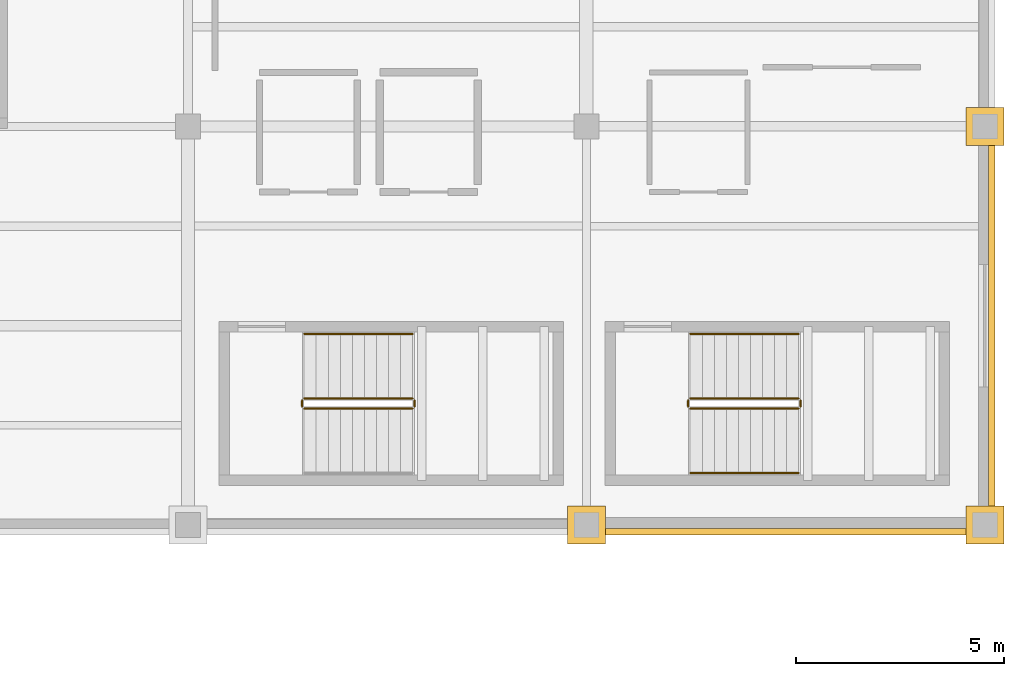
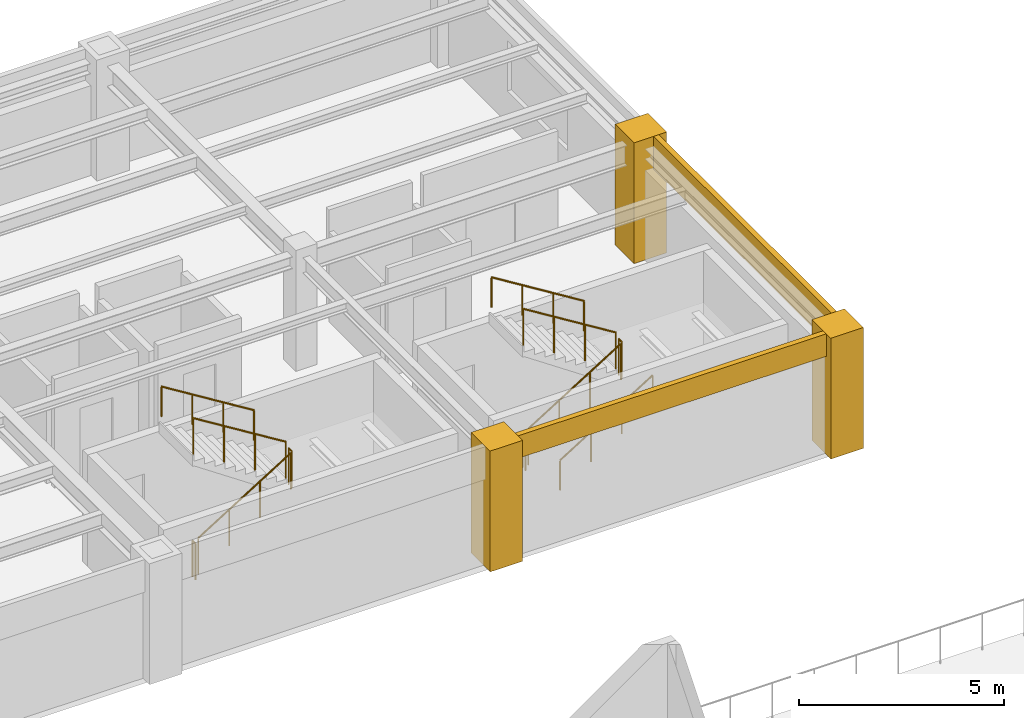
# One storey, part 5 of 6: 11 railings, 5 coverings.
"""IFC4 building model written with IfcOpenShell, lengths in metres."""

from ifc_helpers import new_model, si_unit, direction, frame, origin, origin_2d, place, context, subcontext, project, spatial, polyline, circle, outline, extrude, material, layer, layer_set, type_object, element, save


model = new_model("IFC4")

# Units and contexts
model_context = context("Model", 3, precision=1e-05, world=origin(), true_north=direction((0.0, 1.0)))
body_context = subcontext(model_context, "Body", "Model", "MODEL_VIEW")
ifc_project = project(units=[si_unit("LENGTHUNIT", "METRE"), si_unit("AREAUNIT", "SQUARE_METRE"), si_unit("VOLUMEUNIT", "CUBIC_METRE"), si_unit("PLANEANGLEUNIT", "RADIAN"), si_unit("MASSUNIT", "GRAM", prefix="KILO")], contexts=[model_context])

# Site, building, storey
site_placement = place(None, origin())
site = spatial("IfcSite", under=ifc_project, at=site_placement, CompositionType="ELEMENT")
building_placement = place(site_placement, origin())
building = spatial("IfcBuilding", under=site, at=building_placement, Name="Mavantir Sound Aquarium", CompositionType="ELEMENT")
storey_placement = place(building_placement, frame((0.0, 0.0, 19.800048828125)))
storey = spatial("IfcBuildingStorey", under=building, at=storey_placement, Name="L04", CompositionType="ELEMENT", Elevation=19.800048828125)

# Coverings
ifc_material_1 = material(Name="Honed Coral-Limestone & Glazed Terracotta Rainscreen Cladding", Category="masonry")
ifc_layer = layer(ifc_material_1, 0.06005859375, Name="Honed Coral-Limestone & Glazed Terracotta Rainscreen Cladding")
ifc_layer_set = layer_set([ifc_layer], Name="Honed Coral-Limestone & Glazed Terracotta Rainscreen Cladding")
covering_type = type_object("IfcCoveringType", Name="COV-CLAD-TC", PredefinedType="CLADDING", material=ifc_layer_set)
covering_1_placement = place(storey_placement, frame((0.0, 0.0, 2.6240234375)))
element("IfcCovering", 1, at=covering_1_placement, inside=storey, type_object=covering_type, Name="L04 Postmodern coral-limestone spandrel frieze 484", PredefinedType="CLADDING", context=body_context, shape_type="SweptSolid", body=[
    extrude(outline(polyline([(28.889892578125, 83.907958984375), (28.889892578125, 92.89208984375), (29.0400390625, 92.89208984375), (29.0400390625, 83.907958984375), (28.889892578125, 83.907958984375)])), origin(), (0.0, 0.0, 1.0), 0.975830078125),
])
covering_2_placement = place(storey_placement, frame((0.0, 0.0, 2.927978515625)))
element("IfcCovering", 2, at=covering_2_placement, inside=storey, type_object=covering_type, Name="L04 Postmodern coral-limestone spandrel frieze 493", PredefinedType="CLADDING", context=body_context, shape_type="SweptSolid", body=[
    extrude(outline(polyline([(19.508056640625, 83.510009765625), (28.491943359375, 83.510009765625), (28.491943359375, 83.360107421875), (19.508056640625, 83.360107421875), (19.508056640625, 83.510009765625)])), origin(), (0.0, 0.0, 1.0), 0.671875),
])
covering_3_placement = place(storey_placement, origin())
element("IfcCovering", 3, at=covering_3_placement, inside=storey, type_object=covering_type, Name="L04 Postmodern coral-limestone pilaster casing 382", PredefinedType="CLADDING", context=body_context, shape_type="SweptSolid", body=[
    extrude(outline(polyline([(18.739990234375, 83.139892578125), (19.659912109375, 83.139892578125), (19.659912109375, 84.06005859375), (18.739990234375, 84.06005859375), (18.739990234375, 83.139892578125)])), origin(), (0.0, 0.0, 1.0), 3.599853515625),
])
covering_4_placement = place(storey_placement, origin())
element("IfcCovering", 4, at=covering_4_placement, inside=storey, type_object=covering_type, Name="L04 Postmodern coral-limestone pilaster casing 394", PredefinedType="CLADDING", context=body_context, shape_type="SweptSolid", body=[
    extrude(outline(polyline([(28.340087890625, 83.139892578125), (29.260009765625, 83.139892578125), (29.260009765625, 84.06005859375), (28.340087890625, 84.06005859375), (28.340087890625, 83.139892578125)])), origin(), (0.0, 0.0, 1.0), 3.599853515625),
])
covering_5_placement = place(storey_placement, origin())
element("IfcCovering", 5, at=covering_5_placement, inside=storey, type_object=covering_type, Name="L04 Postmodern coral-limestone pilaster casing 398", PredefinedType="CLADDING", context=body_context, shape_type="SweptSolid", body=[
    extrude(outline(polyline([(28.340087890625, 92.739990234375), (29.260009765625, 92.739990234375), (29.260009765625, 93.659912109375), (28.340087890625, 93.659912109375), (28.340087890625, 92.739990234375)])), origin(), (0.0, 0.0, 1.0), 3.599853515625),
])

# Railings
ifc_material_2 = material(Name="Stainless Steel 316 and Laminated Glass Guardrail", Category="steel")
railing_type_1 = type_object("IfcRailingType", Name="RL-GUARD-110", PredefinedType="GUARDRAIL", material=ifc_material_2)
railing_1_placement = place(storey_placement, frame((12.39990234375, 86.39990234375, 0.179931640625)))
element("IfcRailing", 6, at=railing_1_placement, inside=storey, type_object=railing_type_1, Name="L04 ST5 stair guard 1", PredefinedType="GUARDRAIL", context=body_context, shape_type="SweptSolid", body=[
    extrude(circle(Radius=0.02392578125, at=origin_2d()), frame((0.0, 0.0, 1.076171875), z_axis=(0.849632798774, 0.0, 0.527374731332), x_axis=(0.0, 1.0, 0.0)), (0.0, 0.0, 1.0), 3.072021484375),
    extrude(circle(Radius=0.02099609375, at=origin_2d()), origin(), (0.0, 0.0, 1.0), 1.052001953125),
    extrude(circle(Radius=0.02099609375, at=origin_2d()), frame((0.8701171875, 0.0, 0.5400390625)), (0.0, 0.0, 1.0), 1.052001953125),
    extrude(circle(Radius=0.02099609375, at=origin_2d()), frame((1.739990234375, 0.0, 1.080078125)), (0.0, 0.0, 1.0), 1.052001953125),
    extrude(circle(Radius=0.02099609375, at=origin_2d()), frame((2.610107421875, 0.0, 1.6201171875)), (0.0, 0.0, 1.0), 1.052001953125),
])
railing_2_placement = place(storey_placement, frame((15.06005859375, 86.449951171875, 1.800048828125)))
element("IfcRailing", 7, at=railing_2_placement, inside=storey, type_object=railing_type_1, Name="L04 ST5 stair guard 2", PredefinedType="GUARDRAIL", context=body_context, shape_type="SweptSolid", body=[
    extrude(circle(Radius=0.02392578125, at=origin_2d()), frame((0.0, 0.0, 1.076171875), z_axis=(0.0, 1.0, 0.0), x_axis=(-1.0, 0.0, 0.0)), (0.0, 0.0, 1.0), 0.150146484375),
    extrude(circle(Radius=0.02099609375, at=origin_2d()), origin(), (0.0, 0.0, 1.0), 1.052001953125),
    extrude(circle(Radius=0.02099609375, at=origin_2d()), frame((0.0, 0.150146484375, 0.0)), (0.0, 0.0, 1.0), 1.052001953125),
])
railing_3_placement = place(storey_placement, frame((15.010009765625, 86.64990234375, 1.97998046875)))
element("IfcRailing", 8, at=railing_3_placement, inside=storey, type_object=railing_type_1, Name="L04 ST5 stair guard 3", PredefinedType="GUARDRAIL", context=body_context, shape_type="SweptSolid", body=[
    extrude(circle(Radius=0.02392578125, at=origin_2d()), frame((0.0, 0.0, 1.076171875), z_axis=(-0.849668407637, 0.0, 0.527317358963), x_axis=(0.0, -1.0, 0.0)), (0.0, 0.0, 1.0), 3.072021484375),
    extrude(circle(Radius=0.02099609375, at=origin_2d()), origin(), (0.0, 0.0, 1.0), 1.052001953125),
    extrude(circle(Radius=0.02099609375, at=origin_2d()), frame((-0.8701171875, 0.0, 0.5400390625)), (0.0, 0.0, 1.0), 1.052001953125),
    extrude(circle(Radius=0.02099609375, at=origin_2d()), frame((-1.739990234375, 0.0, 1.079833984375)), (0.0, 0.0, 1.0), 1.052001953125),
    extrude(circle(Radius=0.02099609375, at=origin_2d()), frame((-2.610107421875, 0.0, 1.619873046875)), (0.0, 0.0, 1.0), 1.052001953125),
])
railing_4_placement = place(storey_placement, frame((12.35009765625, 86.449951171875, 0.0)))
element("IfcRailing", 9, at=railing_4_placement, inside=storey, type_object=railing_type_1, Name="L04 ST5 stair guard 4", PredefinedType="GUARDRAIL", context=body_context, shape_type="SweptSolid", body=[
    extrude(circle(Radius=0.02392578125, at=origin_2d()), frame((0.0, 0.0, 1.076171875), z_axis=(0.0, 1.0, 0.0), x_axis=(-1.0, 0.0, 0.0)), (0.0, 0.0, 1.0), 0.150146484375),
    extrude(circle(Radius=0.02099609375, at=origin_2d()), origin(), (0.0, 0.0, 1.0), 1.052001953125),
    extrude(circle(Radius=0.02099609375, at=origin_2d()), frame((0.0, 0.150146484375, 0.0)), (0.0, 0.0, 1.0), 1.052001953125),
])
railing_5_placement = place(storey_placement, frame((21.699951171875, 86.39990234375, 0.179931640625)))
element("IfcRailing", 10, at=railing_5_placement, inside=storey, type_object=railing_type_1, Name="L04 ST7 stair guard 1", PredefinedType="GUARDRAIL", context=body_context, shape_type="SweptSolid", body=[
    extrude(circle(Radius=0.02392578125, at=origin_2d()), frame((0.0, 0.0, 1.076171875), z_axis=(0.849632798774, 0.0, 0.527374731332), x_axis=(0.0, 1.0, 0.0)), (0.0, 0.0, 1.0), 3.072021484375),
    extrude(circle(Radius=0.02099609375, at=origin_2d()), origin(), (0.0, 0.0, 1.0), 1.052001953125),
    extrude(circle(Radius=0.02099609375, at=origin_2d()), frame((0.8701171875, 0.0, 0.5400390625)), (0.0, 0.0, 1.0), 1.052001953125),
    extrude(circle(Radius=0.02099609375, at=origin_2d()), frame((1.739990234375, 0.0, 1.080078125)), (0.0, 0.0, 1.0), 1.052001953125),
    extrude(circle(Radius=0.02099609375, at=origin_2d()), frame((2.610107421875, 0.0, 1.6201171875)), (0.0, 0.0, 1.0), 1.052001953125),
])
railing_6_placement = place(storey_placement, frame((24.360107421875, 86.449951171875, 1.800048828125)))
element("IfcRailing", 11, at=railing_6_placement, inside=storey, type_object=railing_type_1, Name="L04 ST7 stair guard 2", PredefinedType="GUARDRAIL", context=body_context, shape_type="SweptSolid", body=[
    extrude(circle(Radius=0.02392578125, at=origin_2d()), frame((0.0, 0.0, 1.076171875), z_axis=(0.0, 1.0, 0.0), x_axis=(-1.0, 0.0, 0.0)), (0.0, 0.0, 1.0), 0.150146484375),
    extrude(circle(Radius=0.02099609375, at=origin_2d()), origin(), (0.0, 0.0, 1.0), 1.052001953125),
    extrude(circle(Radius=0.02099609375, at=origin_2d()), frame((0.0, 0.150146484375, 0.0)), (0.0, 0.0, 1.0), 1.052001953125),
])
railing_7_placement = place(storey_placement, frame((24.31005859375, 86.64990234375, 1.97998046875)))
element("IfcRailing", 12, at=railing_7_placement, inside=storey, type_object=railing_type_1, Name="L04 ST7 stair guard 3", PredefinedType="GUARDRAIL", context=body_context, shape_type="SweptSolid", body=[
    extrude(circle(Radius=0.02392578125, at=origin_2d()), frame((0.0, 0.0, 1.076171875), z_axis=(-0.849668407637, 0.0, 0.527317358963), x_axis=(0.0, -1.0, 0.0)), (0.0, 0.0, 1.0), 3.072021484375),
    extrude(circle(Radius=0.02099609375, at=origin_2d()), origin(), (0.0, 0.0, 1.0), 1.052001953125),
    extrude(circle(Radius=0.02099609375, at=origin_2d()), frame((-0.8701171875, 0.0, 0.5400390625)), (0.0, 0.0, 1.0), 1.052001953125),
    extrude(circle(Radius=0.02099609375, at=origin_2d()), frame((-1.739990234375, 0.0, 1.079833984375)), (0.0, 0.0, 1.0), 1.052001953125),
    extrude(circle(Radius=0.02099609375, at=origin_2d()), frame((-2.610107421875, 0.0, 1.619873046875)), (0.0, 0.0, 1.0), 1.052001953125),
])
railing_8_placement = place(storey_placement, frame((21.64990234375, 86.449951171875, 0.0)))
element("IfcRailing", 13, at=railing_8_placement, inside=storey, type_object=railing_type_1, Name="L04 ST7 stair guard 4", PredefinedType="GUARDRAIL", context=body_context, shape_type="SweptSolid", body=[
    extrude(circle(Radius=0.02392578125, at=origin_2d()), frame((0.0, 0.0, 1.076171875), z_axis=(0.0, 1.0, 0.0), x_axis=(-1.0, 0.0, 0.0)), (0.0, 0.0, 1.0), 0.150146484375),
    extrude(circle(Radius=0.02099609375, at=origin_2d()), origin(), (0.0, 0.0, 1.0), 1.052001953125),
    extrude(circle(Radius=0.02099609375, at=origin_2d()), frame((0.0, 0.150146484375, 0.0)), (0.0, 0.0, 1.0), 1.052001953125),
])
ifc_material_3 = material(Name="Brushed Stainless Steel 316 Handrail", Category="steel")
railing_type_2 = type_object("IfcRailingType", Name="RL-HR-90", PredefinedType="HANDRAIL", material=ifc_material_3)
railing_9_placement = place(storey_placement, frame((15.010009765625, 88.199951171875, 2.1650390625)))
element("IfcRailing", 14, at=railing_9_placement, inside=storey, type_object=railing_type_2, Name="L04 ST5 stair handrail 2", PredefinedType="HANDRAIL", context=body_context, shape_type="SweptSolid", body=[
    extrude(circle(Radius=0.02392578125, at=origin_2d()), frame((0.0, 0.0, 0.89111328125), z_axis=(-0.849668407637, 0.0, 0.527317358963), x_axis=(0.0, -1.0, 0.0)), (0.0, 0.0, 1.0), 3.072021484375),
    extrude(circle(Radius=0.02099609375, at=origin_2d()), origin(), (0.0, 0.0, 1.0), 0.866943359375),
    extrude(circle(Radius=0.02099609375, at=origin_2d()), frame((-0.8701171875, 0.0, 0.5400390625)), (0.0, 0.0, 1.0), 0.866943359375),
    extrude(circle(Radius=0.02099609375, at=origin_2d()), frame((-1.739990234375, 0.0, 1.079833984375)), (0.0, 0.0, 1.0), 0.866943359375),
    extrude(circle(Radius=0.02099609375, at=origin_2d()), frame((-2.610107421875, 0.0, 1.619873046875)), (0.0, 0.0, 1.0), 0.866943359375),
])
railing_10_placement = place(storey_placement, frame((21.699951171875, 84.85009765625, 0.364990234375)))
element("IfcRailing", 15, at=railing_10_placement, inside=storey, type_object=railing_type_2, Name="L04 ST7 stair handrail 1", PredefinedType="HANDRAIL", context=body_context, shape_type="SweptSolid", body=[
    extrude(circle(Radius=0.02392578125, at=origin_2d()), frame((0.0, 0.0, 0.89111328125), z_axis=(0.849668407637, 0.0, 0.527317358963), x_axis=(0.0, 1.0, 0.0)), (0.0, 0.0, 1.0), 3.072021484375),
    extrude(circle(Radius=0.02099609375, at=origin_2d()), origin(), (0.0, 0.0, 1.0), 0.866943359375),
    extrude(circle(Radius=0.02099609375, at=origin_2d()), frame((0.8701171875, 0.0, 0.5400390625)), (0.0, 0.0, 1.0), 0.866943359375),
    extrude(circle(Radius=0.02099609375, at=origin_2d()), frame((1.739990234375, 0.0, 1.079833984375)), (0.0, 0.0, 1.0), 0.866943359375),
    extrude(circle(Radius=0.02099609375, at=origin_2d()), frame((2.610107421875, 0.0, 1.619873046875)), (0.0, 0.0, 1.0), 0.866943359375),
])
railing_11_placement = place(storey_placement, frame((24.31005859375, 88.199951171875, 2.1650390625)))
element("IfcRailing", 16, at=railing_11_placement, inside=storey, type_object=railing_type_2, Name="L04 ST7 stair handrail 2", PredefinedType="HANDRAIL", context=body_context, shape_type="SweptSolid", body=[
    extrude(circle(Radius=0.02392578125, at=origin_2d()), frame((0.0, 0.0, 0.89111328125), z_axis=(-0.849668407637, 0.0, 0.527317358963), x_axis=(0.0, -1.0, 0.0)), (0.0, 0.0, 1.0), 3.072021484375),
    extrude(circle(Radius=0.02099609375, at=origin_2d()), origin(), (0.0, 0.0, 1.0), 0.866943359375),
    extrude(circle(Radius=0.02099609375, at=origin_2d()), frame((-0.8701171875, 0.0, 0.5400390625)), (0.0, 0.0, 1.0), 0.866943359375),
    extrude(circle(Radius=0.02099609375, at=origin_2d()), frame((-1.739990234375, 0.0, 1.079833984375)), (0.0, 0.0, 1.0), 0.866943359375),
    extrude(circle(Radius=0.02099609375, at=origin_2d()), frame((-2.610107421875, 0.0, 1.619873046875)), (0.0, 0.0, 1.0), 0.866943359375),
])

save(model, "model.ifc")
